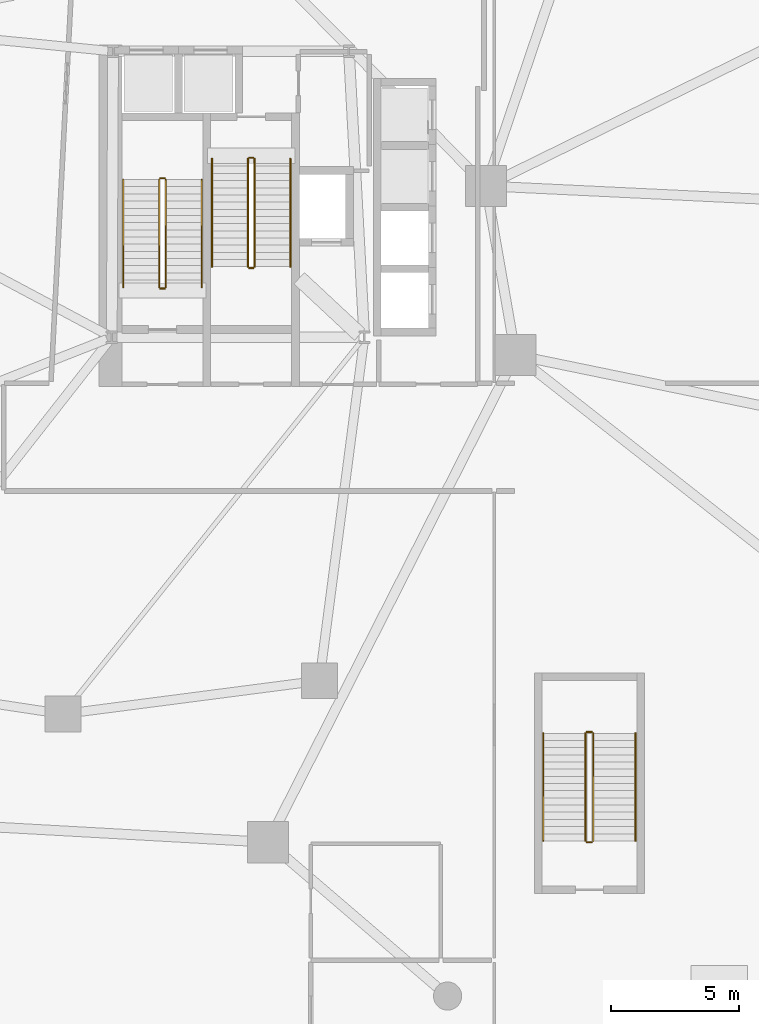
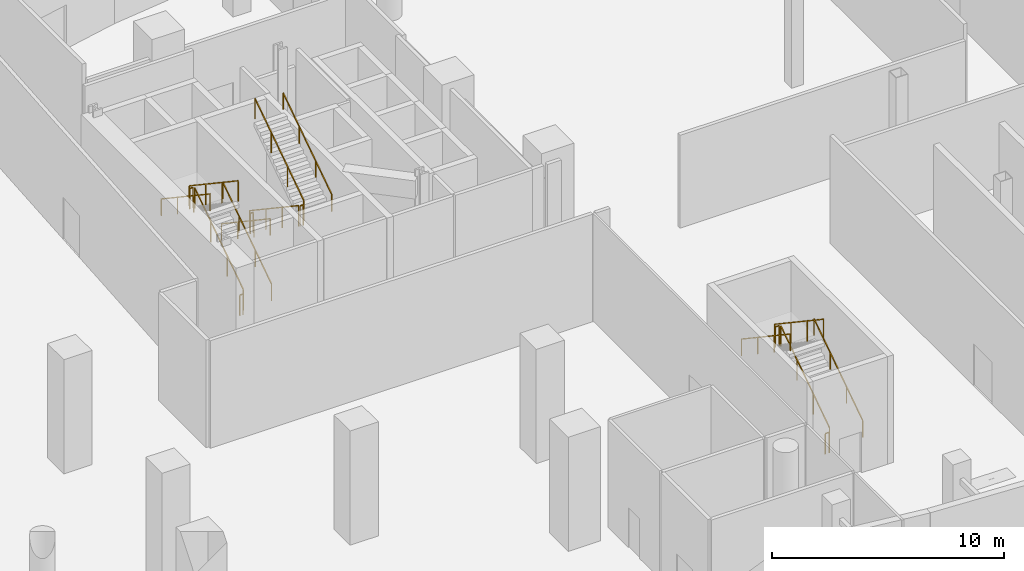
# One storey, part 18 of 20: 18 railings.
"""IFC4 building model written with IfcOpenShell, lengths in metres."""

from ifc_helpers import new_model, si_unit, direction, frame, origin, origin_2d, place, context, subcontext, project, spatial, rectangle, extrude, material, type_object, element, save


model = new_model("IFC4")

# Units and contexts
model_context = context("Model", 3, precision=1e-05, world=origin(), true_north=direction((0.0, 1.0)))
body_context = subcontext(model_context, "Body", "Model", "MODEL_VIEW")
ifc_project = project(units=[si_unit("LENGTHUNIT", "METRE"), si_unit("AREAUNIT", "SQUARE_METRE"), si_unit("VOLUMEUNIT", "CUBIC_METRE"), si_unit("PLANEANGLEUNIT", "RADIAN"), si_unit("MASSUNIT", "GRAM", prefix="KILO"), si_unit("THERMODYNAMICTEMPERATUREUNIT", "KELVIN"), si_unit("POWERUNIT", "WATT")], contexts=[model_context])

# Site, building, storey
site_placement = place(None, origin())
site = spatial("IfcSite", under=ifc_project, at=site_placement, CompositionType="ELEMENT")
building_placement = place(site_placement, origin())
building = spatial("IfcBuilding", under=site, at=building_placement, Name="Cundina Bronze Exchange", CompositionType="ELEMENT")
storey_placement = place(building_placement, origin())
storey = spatial("IfcBuildingStorey", under=building, at=storey_placement, Name="L00", CompositionType="ELEMENT", Elevation=0.0)

# Railings
ifc_material = material(Name="Steel ASTM A36 Painted", Category="steel")
railing_type_1 = type_object("IfcRailingType", Name="RLG-HND-900", PredefinedType="HANDRAIL", material=ifc_material)
railing_1_placement = place(storey_placement, frame((-27.7900390625, 5.85009765625, 0.1875)))
element("IfcRailing", 1, at=railing_1_placement, inside=storey, type_object=railing_type_1, Name="L00 ST-W1 stair handrail 1", PredefinedType="HANDRAIL", context=body_context, shape_type="SweptSolid", body=[
    extrude(rectangle(XDim=0.048095703125, YDim=0.048095703125, at=origin_2d()), frame((0.0, 0.0, 0.8759765625), z_axis=(0.0, 0.830904186295, 0.556415522067), x_axis=(-1.0, 0.0, 0.0)), (0.0, 0.0, 1.0), 5.0546875),
    extrude(rectangle(XDim=0.0419921875, YDim=0.0419921875, at=origin_2d()), origin(), (0.0, 0.0, 1.0), 0.851806640625),
    extrude(rectangle(XDim=0.0419921875, YDim=0.0419921875, at=origin_2d()), frame((0.0, 1.39990234375, 0.9375)), (0.0, 0.0, 1.0), 0.851806640625),
    extrude(rectangle(XDim=0.0419921875, YDim=0.0419921875, at=origin_2d()), frame((0.0, 2.800048828125, 1.875)), (0.0, 0.0, 1.0), 0.851806640625),
    extrude(rectangle(XDim=0.0419921875, YDim=0.0419921875, at=origin_2d()), frame((0.0, 4.199951171875, 2.8125)), (0.0, 0.0, 1.0), 0.851806640625),
])
railing_2_placement = place(storey_placement, frame((-30.85009765625, 10.050048828125, 3.1875)))
element("IfcRailing", 2, at=railing_2_placement, inside=storey, type_object=railing_type_1, Name="L00 ST-W1 stair handrail 2", PredefinedType="HANDRAIL", context=body_context, shape_type="SweptSolid", body=[
    extrude(rectangle(XDim=0.048095703125, YDim=0.048095703125, at=origin_2d()), frame((0.0, 0.0, 0.8759765625), z_axis=(0.0, -0.830904186295, 0.556415522067), x_axis=(1.0, 0.0, 0.0)), (0.0, 0.0, 1.0), 5.0546875),
    extrude(rectangle(XDim=0.0419921875, YDim=0.0419921875, at=origin_2d()), origin(), (0.0, 0.0, 1.0), 0.851806640625),
    extrude(rectangle(XDim=0.0419921875, YDim=0.0419921875, at=origin_2d()), frame((0.0, -1.39990234375, 0.9375)), (0.0, 0.0, 1.0), 0.851806640625),
    extrude(rectangle(XDim=0.0419921875, YDim=0.0419921875, at=origin_2d()), frame((0.0, -2.800048828125, 1.875)), (0.0, 0.0, 1.0), 0.851806640625),
    extrude(rectangle(XDim=0.0419921875, YDim=0.0419921875, at=origin_2d()), frame((0.0, -4.199951171875, 2.8125)), (0.0, 0.0, 1.0), 0.851806640625),
])
railing_3_placement = place(storey_placement, frame((-27.389892578125, 10.85009765625, 0.1875)))
element("IfcRailing", 3, at=railing_3_placement, inside=storey, type_object=railing_type_1, Name="L00 ST-W2 stair handrail 1", PredefinedType="HANDRAIL", context=body_context, shape_type="SweptSolid", body=[
    extrude(rectangle(XDim=0.048095703125, YDim=0.048095703125, at=origin_2d()), frame((0.0, 0.0, 0.8759765625), z_axis=(0.0, -0.830919138977, 0.55639319234), x_axis=(1.0, 0.0, 0.0)), (0.0, 0.0, 1.0), 5.054931640625),
    extrude(rectangle(XDim=0.0419921875, YDim=0.0419921875, at=origin_2d()), origin(), (0.0, 0.0, 1.0), 0.851806640625),
    extrude(rectangle(XDim=0.0419921875, YDim=0.0419921875, at=origin_2d()), frame((0.0, -1.400146484375, 0.9375)), (0.0, 0.0, 1.0), 0.851806640625),
    extrude(rectangle(XDim=0.0419921875, YDim=0.0419921875, at=origin_2d()), frame((0.0, -2.800048828125, 1.875)), (0.0, 0.0, 1.0), 0.851806640625),
    extrude(rectangle(XDim=0.0419921875, YDim=0.0419921875, at=origin_2d()), frame((0.0, -4.2001953125, 2.8125)), (0.0, 0.0, 1.0), 0.851806640625),
])
railing_4_placement = place(storey_placement, frame((-24.330078125, 6.64990234375, 3.1875)))
element("IfcRailing", 4, at=railing_4_placement, inside=storey, type_object=railing_type_1, Name="L00 ST-W2 stair handrail 2", PredefinedType="HANDRAIL", context=body_context, shape_type="SweptSolid", body=[
    extrude(rectangle(XDim=0.048095703125, YDim=0.048095703125, at=origin_2d()), frame((0.0, 0.0, 0.8759765625), z_axis=(0.0, 0.830919138977, 0.55639319234), x_axis=(-1.0, 0.0, 0.0)), (0.0, 0.0, 1.0), 5.054931640625),
    extrude(rectangle(XDim=0.0419921875, YDim=0.0419921875, at=origin_2d()), origin(), (0.0, 0.0, 1.0), 0.851806640625),
    extrude(rectangle(XDim=0.0419921875, YDim=0.0419921875, at=origin_2d()), frame((0.0, 1.400146484375, 0.9375)), (0.0, 0.0, 1.0), 0.851806640625),
    extrude(rectangle(XDim=0.0419921875, YDim=0.0419921875, at=origin_2d()), frame((0.0, 2.800048828125, 1.875)), (0.0, 0.0, 1.0), 0.851806640625),
    extrude(rectangle(XDim=0.0419921875, YDim=0.0419921875, at=origin_2d()), frame((0.0, 4.2001953125, 2.8125)), (0.0, 0.0, 1.0), 0.851806640625),
])
railing_5_placement = place(storey_placement, frame((-10.8701171875, -15.75, 0.1875)))
element("IfcRailing", 5, at=railing_5_placement, inside=storey, type_object=railing_type_1, Name="L00 ST-PW stair handrail 1", PredefinedType="HANDRAIL", context=body_context, shape_type="SweptSolid", body=[
    extrude(rectangle(XDim=0.048095703125, YDim=0.048095703125, at=origin_2d()), frame((0.0, 0.0, 0.8759765625), z_axis=(0.0, 0.830904186295, 0.556415522067), x_axis=(-1.0, 0.0, 0.0)), (0.0, 0.0, 1.0), 5.0546875),
    extrude(rectangle(XDim=0.0419921875, YDim=0.0419921875, at=origin_2d()), origin(), (0.0, 0.0, 1.0), 0.851806640625),
    extrude(rectangle(XDim=0.0419921875, YDim=0.0419921875, at=origin_2d()), frame((0.0, 1.39990234375, 0.9375)), (0.0, 0.0, 1.0), 0.851806640625),
    extrude(rectangle(XDim=0.0419921875, YDim=0.0419921875, at=origin_2d()), frame((0.0, 2.800048828125, 1.875)), (0.0, 0.0, 1.0), 0.851806640625),
    extrude(rectangle(XDim=0.0419921875, YDim=0.0419921875, at=origin_2d()), frame((0.0, 4.199951171875, 2.8125)), (0.0, 0.0, 1.0), 0.851806640625),
])
railing_6_placement = place(storey_placement, frame((-14.469970703125, -11.550048828125, 3.1875)))
element("IfcRailing", 6, at=railing_6_placement, inside=storey, type_object=railing_type_1, Name="L00 ST-PW stair handrail 2", PredefinedType="HANDRAIL", context=body_context, shape_type="SweptSolid", body=[
    extrude(rectangle(XDim=0.048095703125, YDim=0.048095703125, at=origin_2d()), frame((0.0, 0.0, 0.8759765625), z_axis=(0.0, -0.830904186295, 0.556415522067), x_axis=(1.0, 0.0, 0.0)), (0.0, 0.0, 1.0), 5.0546875),
    extrude(rectangle(XDim=0.0419921875, YDim=0.0419921875, at=origin_2d()), origin(), (0.0, 0.0, 1.0), 0.851806640625),
    extrude(rectangle(XDim=0.0419921875, YDim=0.0419921875, at=origin_2d()), frame((0.0, -1.39990234375, 0.9375)), (0.0, 0.0, 1.0), 0.851806640625),
    extrude(rectangle(XDim=0.0419921875, YDim=0.0419921875, at=origin_2d()), frame((0.0, -2.800048828125, 1.875)), (0.0, 0.0, 1.0), 0.851806640625),
    extrude(rectangle(XDim=0.0419921875, YDim=0.0419921875, at=origin_2d()), frame((0.0, -4.199951171875, 2.8125)), (0.0, 0.0, 1.0), 0.851806640625),
])
railing_type_2 = type_object("IfcRailingType", Name="RLG-STG-1100", PredefinedType="GUARDRAIL", material=ifc_material)
railing_7_placement = place(storey_placement, frame((-29.18994140625, 5.85009765625, 0.1875)))
element("IfcRailing", 7, at=railing_7_placement, inside=storey, type_object=railing_type_2, Name="L00 ST-W1 stair guard 1", PredefinedType="GUARDRAIL", context=body_context, shape_type="SweptSolid", body=[
    extrude(rectangle(XDim=0.048095703125, YDim=0.048095703125, at=origin_2d()), frame((0.0, 0.0, 1.076171875), z_axis=(0.0, 0.830904186295, 0.556415522067), x_axis=(-1.0, 0.0, 0.0)), (0.0, 0.0, 1.0), 5.0546875),
    extrude(rectangle(XDim=0.0419921875, YDim=0.0419921875, at=origin_2d()), origin(), (0.0, 0.0, 1.0), 1.052001953125),
    extrude(rectangle(XDim=0.0419921875, YDim=0.0419921875, at=origin_2d()), frame((0.0, 1.39990234375, 0.9375)), (0.0, 0.0, 1.0), 1.052001953125),
    extrude(rectangle(XDim=0.0419921875, YDim=0.0419921875, at=origin_2d()), frame((0.0, 2.800048828125, 1.875)), (0.0, 0.0, 1.0), 1.052001953125),
    extrude(rectangle(XDim=0.0419921875, YDim=0.0419921875, at=origin_2d()), frame((0.0, 4.199951171875, 2.8125)), (0.0, 0.0, 1.0), 1.052001953125),
])
railing_8_placement = place(storey_placement, frame((-29.239990234375, 10.10009765625, 3.0)))
element("IfcRailing", 8, at=railing_8_placement, inside=storey, type_object=railing_type_2, Name="L00 ST-W1 stair guard 2", PredefinedType="GUARDRAIL", context=body_context, shape_type="SweptSolid", body=[
    extrude(rectangle(XDim=0.048095703125, YDim=0.048095703125, at=origin_2d()), frame((0.0, 0.0, 1.076171875), z_axis=(-1.0, 0.0, 0.0), x_axis=(0.0, -1.0, 0.0)), (0.0, 0.0, 1.0), 0.159912109375),
    extrude(rectangle(XDim=0.0419921875, YDim=0.0419921875, at=origin_2d()), origin(), (0.0, 0.0, 1.0), 1.052001953125),
    extrude(rectangle(XDim=0.0419921875, YDim=0.0419921875, at=origin_2d()), frame((-0.159912109375, 0.0, 0.0)), (0.0, 0.0, 1.0), 1.052001953125),
])
railing_9_placement = place(storey_placement, frame((-29.449951171875, 10.050048828125, 3.1875)))
element("IfcRailing", 9, at=railing_9_placement, inside=storey, type_object=railing_type_2, Name="L00 ST-W1 stair guard 3", PredefinedType="GUARDRAIL", context=body_context, shape_type="SweptSolid", body=[
    extrude(rectangle(XDim=0.048095703125, YDim=0.048095703125, at=origin_2d()), frame((0.0, 0.0, 1.076171875), z_axis=(0.0, -0.830904186295, 0.556415522067), x_axis=(1.0, 0.0, 0.0)), (0.0, 0.0, 1.0), 5.0546875),
    extrude(rectangle(XDim=0.0419921875, YDim=0.0419921875, at=origin_2d()), origin(), (0.0, 0.0, 1.0), 1.052001953125),
    extrude(rectangle(XDim=0.0419921875, YDim=0.0419921875, at=origin_2d()), frame((0.0, -1.39990234375, 0.9375)), (0.0, 0.0, 1.0), 1.052001953125),
    extrude(rectangle(XDim=0.0419921875, YDim=0.0419921875, at=origin_2d()), frame((0.0, -2.800048828125, 1.875)), (0.0, 0.0, 1.0), 1.052001953125),
    extrude(rectangle(XDim=0.0419921875, YDim=0.0419921875, at=origin_2d()), frame((0.0, -4.199951171875, 2.8125)), (0.0, 0.0, 1.0), 1.052001953125),
])
railing_10_placement = place(storey_placement, frame((-29.239990234375, 5.800048828125, 0.0)))
element("IfcRailing", 10, at=railing_10_placement, inside=storey, type_object=railing_type_2, Name="L00 ST-W1 stair guard 4", PredefinedType="GUARDRAIL", context=body_context, shape_type="SweptSolid", body=[
    extrude(rectangle(XDim=0.048095703125, YDim=0.048095703125, at=origin_2d()), frame((0.0, 0.0, 1.076171875), z_axis=(-1.0, 0.0, 0.0), x_axis=(0.0, -1.0, 0.0)), (0.0, 0.0, 1.0), 0.159912109375),
    extrude(rectangle(XDim=0.0419921875, YDim=0.0419921875, at=origin_2d()), origin(), (0.0, 0.0, 1.0), 1.052001953125),
    extrude(rectangle(XDim=0.0419921875, YDim=0.0419921875, at=origin_2d()), frame((-0.159912109375, 0.0, 0.0)), (0.0, 0.0, 1.0), 1.052001953125),
])
railing_11_placement = place(storey_placement, frame((-25.989990234375, 10.85009765625, 0.1875)))
element("IfcRailing", 11, at=railing_11_placement, inside=storey, type_object=railing_type_2, Name="L00 ST-W2 stair guard 1", PredefinedType="GUARDRAIL", context=body_context, shape_type="SweptSolid", body=[
    extrude(rectangle(XDim=0.048095703125, YDim=0.048095703125, at=origin_2d()), frame((0.0, 0.0, 1.076171875), z_axis=(0.0, -0.830919138977, 0.55639319234), x_axis=(1.0, 0.0, 0.0)), (0.0, 0.0, 1.0), 5.054931640625),
    extrude(rectangle(XDim=0.0419921875, YDim=0.0419921875, at=origin_2d()), origin(), (0.0, 0.0, 1.0), 1.052001953125),
    extrude(rectangle(XDim=0.0419921875, YDim=0.0419921875, at=origin_2d()), frame((0.0, -1.400146484375, 0.9375)), (0.0, 0.0, 1.0), 1.052001953125),
    extrude(rectangle(XDim=0.0419921875, YDim=0.0419921875, at=origin_2d()), frame((0.0, -2.800048828125, 1.875)), (0.0, 0.0, 1.0), 1.052001953125),
    extrude(rectangle(XDim=0.0419921875, YDim=0.0419921875, at=origin_2d()), frame((0.0, -4.2001953125, 2.8125)), (0.0, 0.0, 1.0), 1.052001953125),
])
railing_12_placement = place(storey_placement, frame((-25.93994140625, 6.60009765625, 3.0)))
element("IfcRailing", 12, at=railing_12_placement, inside=storey, type_object=railing_type_2, Name="L00 ST-W2 stair guard 2", PredefinedType="GUARDRAIL", context=body_context, shape_type="SweptSolid", body=[
    extrude(rectangle(XDim=0.048095703125, YDim=0.048095703125, at=origin_2d()), frame((0.0, 0.0, 1.076171875), z_axis=(1.0, 0.0, 0.0), x_axis=(0.0, 1.0, 0.0)), (0.0, 0.0, 1.0), 0.159912109375),
    extrude(rectangle(XDim=0.0419921875, YDim=0.0419921875, at=origin_2d()), origin(), (0.0, 0.0, 1.0), 1.052001953125),
    extrude(rectangle(XDim=0.0419921875, YDim=0.0419921875, at=origin_2d()), frame((0.159912109375, 0.0, 0.0)), (0.0, 0.0, 1.0), 1.052001953125),
])
railing_13_placement = place(storey_placement, frame((-25.72998046875, 6.64990234375, 3.1875)))
element("IfcRailing", 13, at=railing_13_placement, inside=storey, type_object=railing_type_2, Name="L00 ST-W2 stair guard 3", PredefinedType="GUARDRAIL", context=body_context, shape_type="SweptSolid", body=[
    extrude(rectangle(XDim=0.048095703125, YDim=0.048095703125, at=origin_2d()), frame((0.0, 0.0, 1.076171875), z_axis=(0.0, 0.830919138977, 0.55639319234), x_axis=(-1.0, 0.0, 0.0)), (0.0, 0.0, 1.0), 5.054931640625),
    extrude(rectangle(XDim=0.0419921875, YDim=0.0419921875, at=origin_2d()), origin(), (0.0, 0.0, 1.0), 1.052001953125),
    extrude(rectangle(XDim=0.0419921875, YDim=0.0419921875, at=origin_2d()), frame((0.0, 1.400146484375, 0.9375)), (0.0, 0.0, 1.0), 1.052001953125),
    extrude(rectangle(XDim=0.0419921875, YDim=0.0419921875, at=origin_2d()), frame((0.0, 2.800048828125, 1.875)), (0.0, 0.0, 1.0), 1.052001953125),
    extrude(rectangle(XDim=0.0419921875, YDim=0.0419921875, at=origin_2d()), frame((0.0, 4.2001953125, 2.8125)), (0.0, 0.0, 1.0), 1.052001953125),
])
railing_14_placement = place(storey_placement, frame((-25.93994140625, 10.89990234375, 0.0)))
element("IfcRailing", 14, at=railing_14_placement, inside=storey, type_object=railing_type_2, Name="L00 ST-W2 stair guard 4", PredefinedType="GUARDRAIL", context=body_context, shape_type="SweptSolid", body=[
    extrude(rectangle(XDim=0.048095703125, YDim=0.048095703125, at=origin_2d()), frame((0.0, 0.0, 1.076171875), z_axis=(1.0, 0.0, 0.0), x_axis=(0.0, 1.0, 0.0)), (0.0, 0.0, 1.0), 0.159912109375),
    extrude(rectangle(XDim=0.0419921875, YDim=0.0419921875, at=origin_2d()), origin(), (0.0, 0.0, 1.0), 1.052001953125),
    extrude(rectangle(XDim=0.0419921875, YDim=0.0419921875, at=origin_2d()), frame((0.159912109375, 0.0, 0.0)), (0.0, 0.0, 1.0), 1.052001953125),
])
railing_15_placement = place(storey_placement, frame((-12.52001953125, -15.75, 0.1875)))
element("IfcRailing", 15, at=railing_15_placement, inside=storey, type_object=railing_type_2, Name="L00 ST-PW stair guard 1", PredefinedType="GUARDRAIL", context=body_context, shape_type="SweptSolid", body=[
    extrude(rectangle(XDim=0.048095703125, YDim=0.048095703125, at=origin_2d()), frame((0.0, 0.0, 1.076171875), z_axis=(0.0, 0.830904186295, 0.556415522067), x_axis=(-1.0, 0.0, 0.0)), (0.0, 0.0, 1.0), 5.0546875),
    extrude(rectangle(XDim=0.0419921875, YDim=0.0419921875, at=origin_2d()), origin(), (0.0, 0.0, 1.0), 1.052001953125),
    extrude(rectangle(XDim=0.0419921875, YDim=0.0419921875, at=origin_2d()), frame((0.0, 1.39990234375, 0.9375)), (0.0, 0.0, 1.0), 1.052001953125),
    extrude(rectangle(XDim=0.0419921875, YDim=0.0419921875, at=origin_2d()), frame((0.0, 2.800048828125, 1.875)), (0.0, 0.0, 1.0), 1.052001953125),
    extrude(rectangle(XDim=0.0419921875, YDim=0.0419921875, at=origin_2d()), frame((0.0, 4.199951171875, 2.8125)), (0.0, 0.0, 1.0), 1.052001953125),
])
railing_16_placement = place(storey_placement, frame((-12.570068359375, -11.5, 3.0)))
element("IfcRailing", 16, at=railing_16_placement, inside=storey, type_object=railing_type_2, Name="L00 ST-PW stair guard 2", PredefinedType="GUARDRAIL", context=body_context, shape_type="SweptSolid", body=[
    extrude(rectangle(XDim=0.048095703125, YDim=0.048095703125, at=origin_2d()), frame((0.0, 0.0, 1.076171875), z_axis=(-1.0, 0.0, 0.0), x_axis=(0.0, -1.0, 0.0)), (0.0, 0.0, 1.0), 0.199951171875),
    extrude(rectangle(XDim=0.0419921875, YDim=0.0419921875, at=origin_2d()), origin(), (0.0, 0.0, 1.0), 1.052001953125),
    extrude(rectangle(XDim=0.0419921875, YDim=0.0419921875, at=origin_2d()), frame((-0.199951171875, 0.0, 0.0)), (0.0, 0.0, 1.0), 1.052001953125),
])
railing_17_placement = place(storey_placement, frame((-12.820068359375, -11.550048828125, 3.1875)))
element("IfcRailing", 17, at=railing_17_placement, inside=storey, type_object=railing_type_2, Name="L00 ST-PW stair guard 3", PredefinedType="GUARDRAIL", context=body_context, shape_type="SweptSolid", body=[
    extrude(rectangle(XDim=0.048095703125, YDim=0.048095703125, at=origin_2d()), frame((0.0, 0.0, 1.076171875), z_axis=(0.0, -0.830904186295, 0.556415522067), x_axis=(1.0, 0.0, 0.0)), (0.0, 0.0, 1.0), 5.0546875),
    extrude(rectangle(XDim=0.0419921875, YDim=0.0419921875, at=origin_2d()), origin(), (0.0, 0.0, 1.0), 1.052001953125),
    extrude(rectangle(XDim=0.0419921875, YDim=0.0419921875, at=origin_2d()), frame((0.0, -1.39990234375, 0.9375)), (0.0, 0.0, 1.0), 1.052001953125),
    extrude(rectangle(XDim=0.0419921875, YDim=0.0419921875, at=origin_2d()), frame((0.0, -2.800048828125, 1.875)), (0.0, 0.0, 1.0), 1.052001953125),
    extrude(rectangle(XDim=0.0419921875, YDim=0.0419921875, at=origin_2d()), frame((0.0, -4.199951171875, 2.8125)), (0.0, 0.0, 1.0), 1.052001953125),
])
railing_18_placement = place(storey_placement, frame((-12.570068359375, -15.800048828125, 0.0)))
element("IfcRailing", 18, at=railing_18_placement, inside=storey, type_object=railing_type_2, Name="L00 ST-PW stair guard 4", PredefinedType="GUARDRAIL", context=body_context, shape_type="SweptSolid", body=[
    extrude(rectangle(XDim=0.048095703125, YDim=0.048095703125, at=origin_2d()), frame((0.0, 0.0, 1.076171875), z_axis=(-1.0, 0.0, 0.0), x_axis=(0.0, -1.0, 0.0)), (0.0, 0.0, 1.0), 0.199951171875),
    extrude(rectangle(XDim=0.0419921875, YDim=0.0419921875, at=origin_2d()), origin(), (0.0, 0.0, 1.0), 1.052001953125),
    extrude(rectangle(XDim=0.0419921875, YDim=0.0419921875, at=origin_2d()), frame((-0.199951171875, 0.0, 0.0)), (0.0, 0.0, 1.0), 1.052001953125),
])

save(model, "model.ifc")
